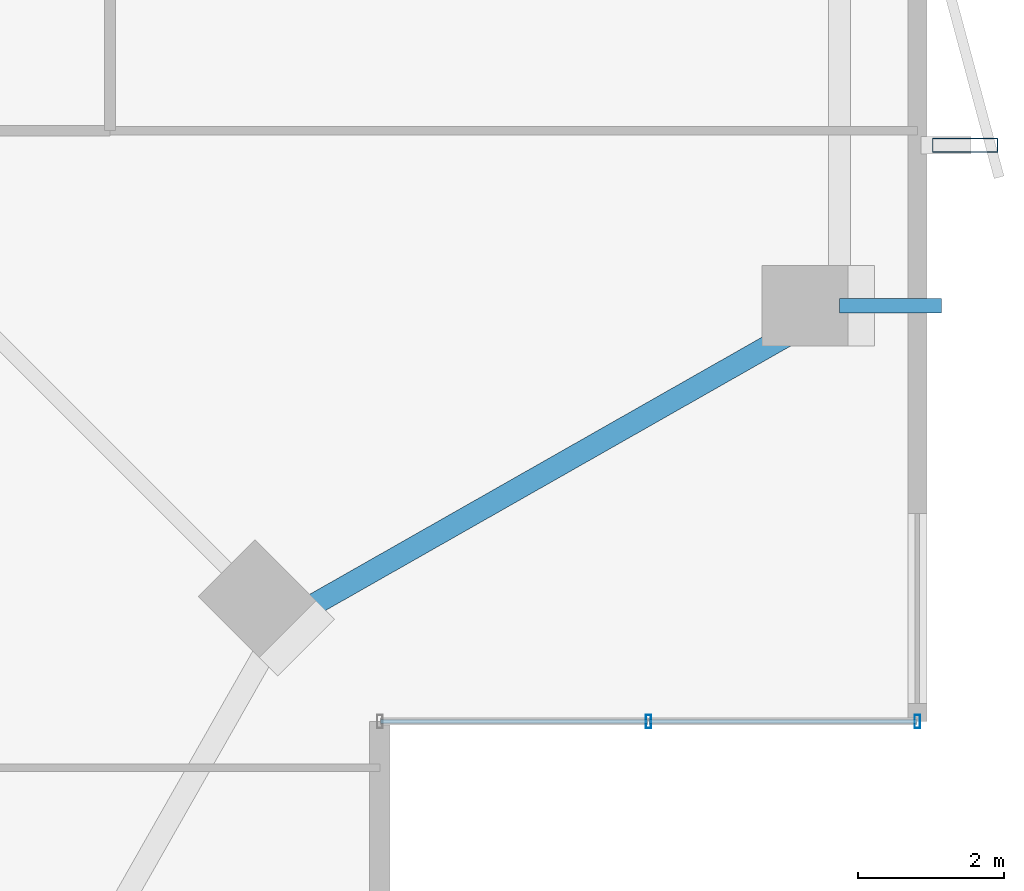
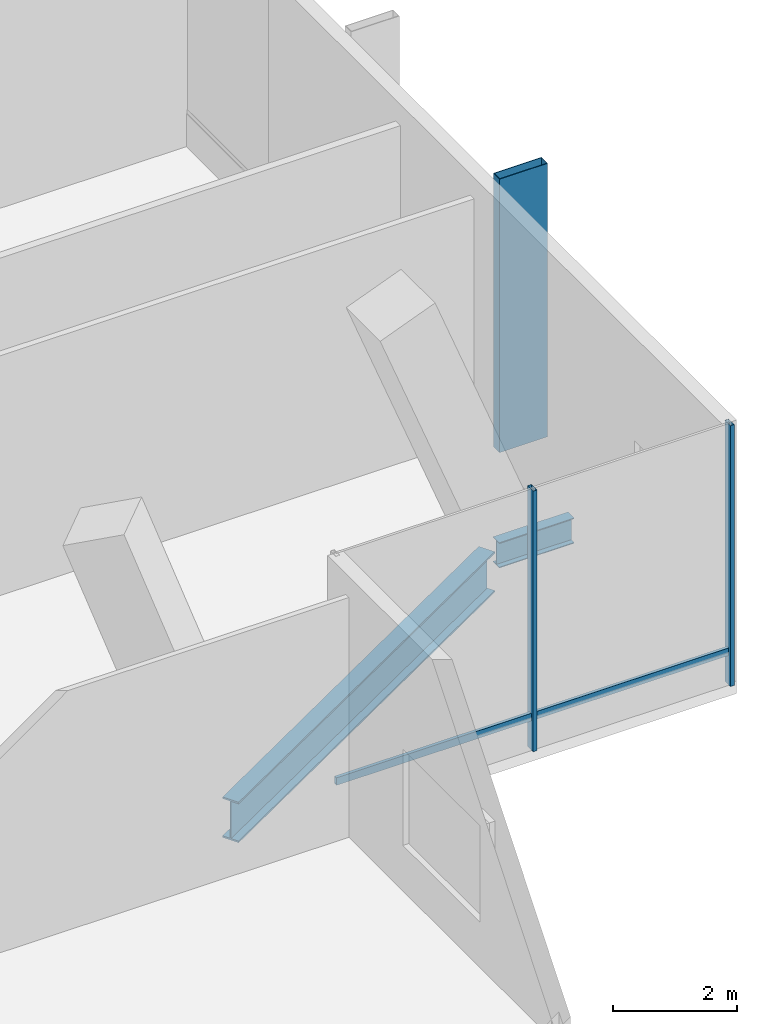
# One storey, part 14 of 33: 5 members, 2 beams, 1 element without a shape of its own.
"""IFC4 building model written with IfcOpenShell, lengths in metres."""

from ifc_helpers import new_model, si_unit, direction, frame, origin, origin_2d, place, context, subcontext, project, spatial, hollow_rectangle, i_section, extrude, material, layer, layer_set, material_profile, profile_set, type_object, element, aggregate, save


model = new_model("IFC4")

# Units and contexts
model_context = context("Model", 3, precision=1e-05, world=origin(), true_north=direction((0.0, 1.0)))
body_context = subcontext(model_context, "Body", "Model", "MODEL_VIEW")
ifc_project = project(units=[si_unit("LENGTHUNIT", "METRE"), si_unit("AREAUNIT", "SQUARE_METRE"), si_unit("VOLUMEUNIT", "CUBIC_METRE"), si_unit("PLANEANGLEUNIT", "RADIAN"), si_unit("MASSUNIT", "GRAM", prefix="KILO")], contexts=[model_context])

# Site, building, storey
site_placement = place(None, origin())
site = spatial("IfcSite", under=ifc_project, at=site_placement, CompositionType="ELEMENT")
building_placement = place(site_placement, origin())
building = spatial("IfcBuilding", under=site, at=building_placement, Name="Belovzor Exchange Tower", CompositionType="ELEMENT")
storey_placement = place(building_placement, frame((0.0, 0.0, 241.199951171875)))
storey = spatial("IfcBuildingStorey", under=building, at=storey_placement, Name="L60", CompositionType="ELEMENT", Elevation=241.199951171875)

# Beams
ifc_material_1 = material(Name="Steel S355", Category="steel")
ifc_material_profile_1 = material_profile(ifc_material_1, i_section(OverallWidth=0.199951171875, OverallDepth=0.5, WebThickness=0.01025390625, FlangeThickness=0.01611328125, at=origin_2d()))
ifc_profile_set_1 = profile_set([ifc_material_profile_1], Name="Steel S355")
beam_type_1 = type_object("IfcBeamType", Name="Planted Balcony Cantilever Beam IPE 500", PredefinedType="BEAM", material=ifc_profile_set_1)
beam_1_placement = place(storey_placement, frame((54.60009765625, 15.0, -0.5), z_axis=(1.0, 0.0, 0.0), x_axis=(0.0, 1.0, 0.0)))
element("IfcBeam", 1, at=beam_1_placement, inside=storey, type_object=beam_type_1, Name="BC-500 Planted Balcony Cantilever Beam IPE 500", PredefinedType="BEAM", context=body_context, shape_type="SweptSolid", body=[
    extrude(i_section(OverallWidth=0.199951171875, OverallDepth=0.5, WebThickness=0.01025390625, FlangeThickness=0.01611328125, at=origin_2d()), origin(), (0.0, 0.0, 1.0), 1.39990234375),
])
ifc_material_2 = material(Name="Steel S355", Category="steel")
ifc_material_profile_2 = material_profile(ifc_material_2, i_section(OverallWidth=0.300048828125, OverallDepth=0.800048828125, WebThickness=0.017578125, FlangeThickness=0.032958984375, at=origin_2d()))
ifc_profile_set_2 = profile_set([ifc_material_profile_2], Name="Steel S355")
beam_type_2 = type_object("IfcBeamType", Name="Sky-Lobby Primary Girder HEB 800", PredefinedType="BEAM", material=ifc_profile_set_2)
beam_2_placement = place(storey_placement, frame((47.212890625, 10.800048828125, -0.64990234375), z_axis=(0.869335547884, 0.494222323641, 0.0), x_axis=(-0.494222323641, 0.869335547884, 0.0)))
element("IfcBeam", 2, at=beam_2_placement, inside=storey, type_object=beam_type_2, Name="SG-1 Sky-Lobby Primary Girder HEB 800", PredefinedType="BEAM", context=body_context, shape_type="SweptSolid", body=[
    extrude(i_section(OverallWidth=0.300048828125, OverallDepth=0.800048828125, WebThickness=0.017578125, FlangeThickness=0.032958984375, at=origin_2d()), origin(), (0.0, 0.0, 1.0), 8.19482421875),
])

# Member
ifc_material_3 = material(Name="Extruded Architectural Terracotta on Steel S355 Carrier", Category="masonry")
ifc_material_profile_3 = material_profile(ifc_material_3, hollow_rectangle(XDim=0.199951171875, YDim=0.89990234375, WallThickness=0.011962890625, at=origin_2d()))
ifc_profile_set_3 = profile_set([ifc_material_profile_3], Name="Extruded Architectural Terracotta on Steel S355 Carrier")
member_type_1 = type_object("IfcMemberType", Name="Sweeping Terracotta Baguette Fin Assembly 950", PredefinedType="USERDEFINED", material=ifc_profile_set_3)
member_1_placement = place(storey_placement, frame((56.324951171875, 17.199951171875, -0.25), z_axis=(0.0, 0.0, 1.0), x_axis=(0.0, 1.0, 0.0)))
element("IfcMember", 3, at=member_1_placement, inside=storey, type_object=member_type_1, Name="FIN-TC095 Terracotta Facade Fin L60 E1", ObjectType="FIN", PredefinedType="USERDEFINED", context=body_context, shape_type="SweptSolid", body=[
    extrude(hollow_rectangle(XDim=0.199951171875, YDim=0.89990234375, WallThickness=0.011962890625, at=origin_2d()), origin(), (0.0, 0.0, 1.0), 5.400146484375),
])

# Curtain wall, members
ifc_material_4 = material(Name="Anodised Aluminium Framing", Category="aluminium")
ifc_layer = layer(ifc_material_4, 0.195068359375)
ifc_layer_set = layer_set([ifc_layer], Name="Anodised Aluminium Framing")
curtain_wall_type = type_object("IfcCurtainWallType", Name="Notched Re-Entrant Corner Unitised Curtain Wall", PredefinedType="NOTDEFINED", material=ifc_layer_set)
curtain_wall_placement = place(storey_placement, origin())
curtain_wall = element("IfcCurtainWall", 4, at=curtain_wall_placement, inside=storey, type_object=curtain_wall_type, Name="CW5 Notched Re-Entrant Corner Unitised Curtain Wall L60", PredefinedType="NOTDEFINED")
ifc_material_5 = material(Name="Steel S355", Category="steel")
ifc_material_profile_4 = material_profile(ifc_material_5, hollow_rectangle(XDim=0.074951171875, YDim=0.179931640625, WallThickness=0.0048828125, at=origin_2d()))
ifc_profile_set_4 = profile_set([ifc_material_profile_4], Name="Steel S355")
member_type_2 = type_object("IfcMemberType", Name="Thermally Broken Curtain Wall Mullion 180x75", PredefinedType="MULLION", material=ifc_profile_set_4)
member_2_placement = place(storey_placement, frame((55.669921875, 9.300048828125, 0.0), z_axis=(0.0, 0.0, 1.0), x_axis=(-1.0, 0.0, 0.0)))
member_2 = element("IfcMember", 5, at=member_2_placement, type_object=member_type_2, Name="CW-M180 Curtain Wall Mullion 1", PredefinedType="MULLION", context=body_context, shape_type="SweptSolid", body=[
    extrude(hollow_rectangle(XDim=0.074951171875, YDim=0.179931640625, WallThickness=0.0048828125, at=origin_2d()), origin(), (0.0, 0.0, 1.0), 5.150146484375),
])
member_3_placement = place(storey_placement, frame((51.985107421875, 9.300048828125, 0.0), z_axis=(0.0, 0.0, 1.0), x_axis=(-1.0, 0.0, 0.0)))
member_3 = element("IfcMember", 6, at=member_3_placement, type_object=member_type_2, Name="CW-M180 Curtain Wall Mullion 2", PredefinedType="MULLION", context=body_context, shape_type="SweptSolid", body=[
    extrude(hollow_rectangle(XDim=0.074951171875, YDim=0.179931640625, WallThickness=0.0048828125, at=origin_2d()), origin(), (0.0, 0.0, 1.0), 5.150146484375),
])
ifc_material_6 = material(Name="Steel S355", Category="steel")
ifc_material_profile_5 = material_profile(ifc_material_6, hollow_rectangle(XDim=0.06005859375, YDim=0.14990234375, WallThickness=0.00390625, at=origin_2d()))
ifc_profile_set_5 = profile_set([ifc_material_profile_5], Name="Steel S355")
member_type_3 = type_object("IfcMemberType", Name="Thermally Broken Curtain Wall Transom 150x60", PredefinedType="USERDEFINED", material=ifc_profile_set_5)
member_4_placement = place(storey_placement, frame((55.662109375, 9.300048828125, 0.650146484375), z_axis=(-1.0, 0.0, 0.0), x_axis=(0.0, -1.0, 0.0)))
member_4 = element("IfcMember", 7, at=member_4_placement, type_object=member_type_3, Name="CW-T150 Curtain Wall Transom 1", ObjectType="TRANSOM", PredefinedType="USERDEFINED", context=body_context, shape_type="SweptSolid", body=[
    extrude(hollow_rectangle(XDim=0.06005859375, YDim=0.14990234375, WallThickness=0.00390625, at=origin_2d()), origin(), (0.0, 0.0, 1.0), 3.669189453125),
])
member_5_placement = place(storey_placement, frame((51.97705078125, 9.300048828125, 0.650146484375), z_axis=(-1.0, 0.0, 0.0), x_axis=(0.0, -1.0, 0.0)))
member_5 = element("IfcMember", 8, at=member_5_placement, type_object=member_type_3, Name="CW-T150 Curtain Wall Transom 2", ObjectType="TRANSOM", PredefinedType="USERDEFINED", context=body_context, shape_type="SweptSolid", body=[
    extrude(hollow_rectangle(XDim=0.06005859375, YDim=0.14990234375, WallThickness=0.00390625, at=origin_2d()), origin(), (0.0, 0.0, 1.0), 3.6689453125),
])
aggregate(curtain_wall, [member_2, member_3, member_4, member_5])

save(model, "model.ifc")
